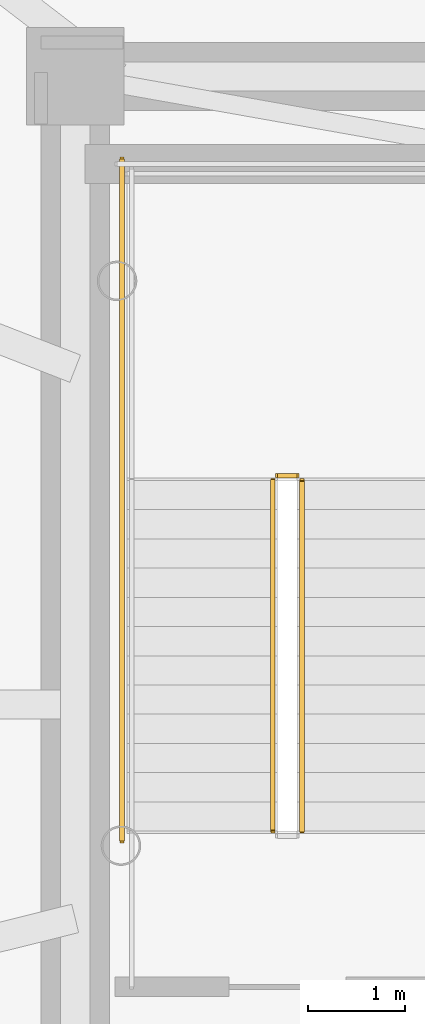
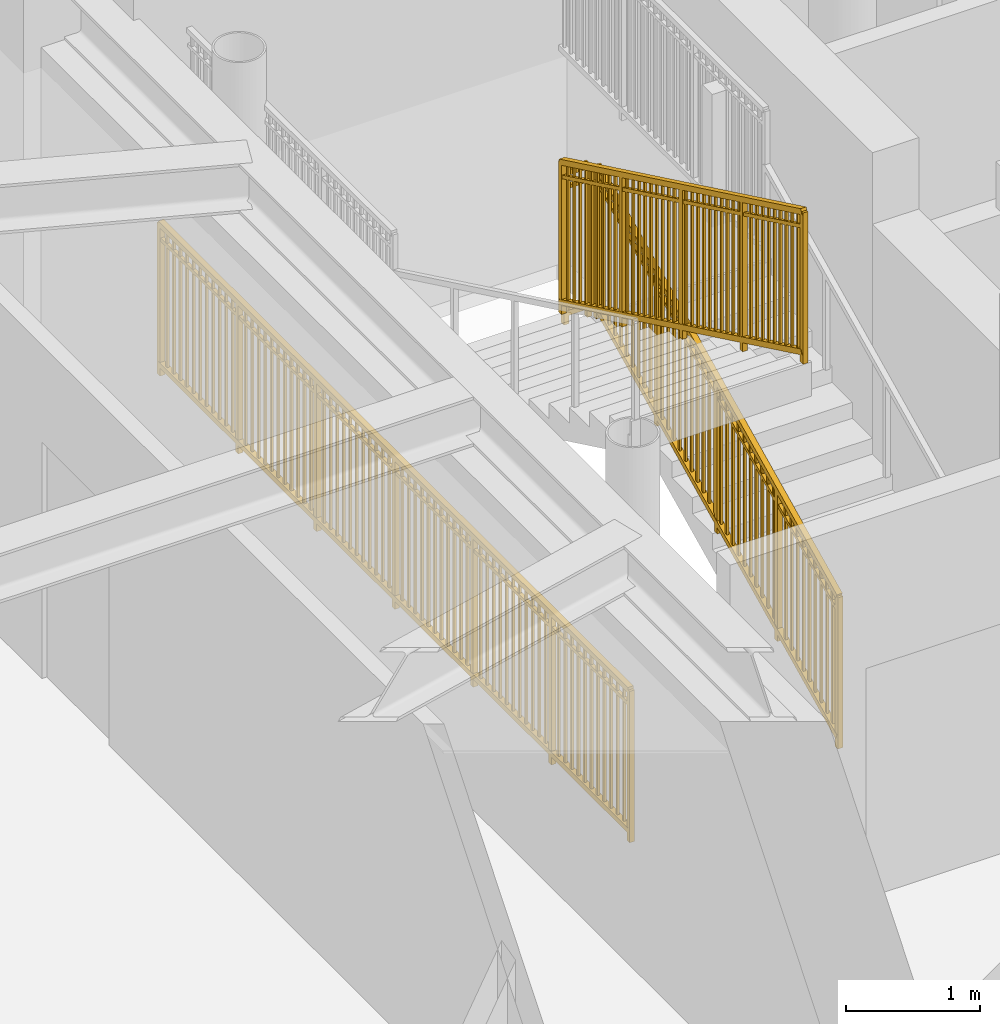
# One storey, part 13 of 17: 4 railings.
"""IFC4 building model written with IfcOpenShell, lengths in metres."""

from ifc_helpers import new_model, si_unit, direction, frame, origin, origin_2d, place, context, subcontext, project, spatial, rectangle, extrude, source, transform, mapped, material, type_object, element, save


model = new_model("IFC4")

# Units and contexts
model_context = context("Model", 3, precision=1e-05, world=origin(), true_north=direction((0.0, 1.0)))
body_context = subcontext(model_context, "Body", "Model", "MODEL_VIEW")
ifc_project = project(units=[si_unit("LENGTHUNIT", "METRE"), si_unit("AREAUNIT", "SQUARE_METRE"), si_unit("VOLUMEUNIT", "CUBIC_METRE"), si_unit("PLANEANGLEUNIT", "RADIAN"), si_unit("MASSUNIT", "GRAM", prefix="KILO")], contexts=[model_context])

# Site, building, storey
site_placement = place(None, origin())
site = spatial("IfcSite", under=ifc_project, at=site_placement, CompositionType="ELEMENT")
building_placement = place(site_placement, origin())
building = spatial("IfcBuilding", under=site, at=building_placement, Name="Linh Dai School and Residence Tower", CompositionType="ELEMENT")
storey_placement = place(building_placement, frame((0.0, 0.0, 284.25)))
storey = spatial("IfcBuildingStorey", under=building, at=storey_placement, Name="L70", CompositionType="ELEMENT", Elevation=284.25)

# Railings
ifc_material = material(Name="Structural Steel S355JR", Category="steel")
railing_type = type_object("IfcRailingType", Name="RL-ST-GUARD-1400", PredefinedType="GUARDRAIL", material=ifc_material)
shared_shape_1 = source(origin(), body_context, "Body", "SweptSolid", [
    extrude(rectangle(XDim=0.048095703125, YDim=0.048095703125, at=origin_2d()), frame((0.0, 0.0, 1.3759765625), z_axis=(-1.0, 0.0, 0.0), x_axis=(0.0, -1.0, 0.0)), (0.0, 0.0, 1.0), 0.199951171875),
    extrude(rectangle(XDim=0.048095703125, YDim=0.048095703125, at=origin_2d()), frame((0.0, 0.0, 0.10009765625), z_axis=(-1.0, 0.0, 0.0), x_axis=(0.0, -1.0, 0.0)), (0.0, 0.0, 1.0), 0.199951171875),
    extrude(rectangle(XDim=0.030029296875, YDim=0.030029296875, at=origin_2d()), frame((0.0, 0.0, 1.239990234375), z_axis=(-1.0, 0.0, 0.0), x_axis=(0.0, -1.0, 0.0)), (0.0, 0.0, 1.0), 0.199951171875),
    extrude(rectangle(XDim=0.0419921875, YDim=0.0419921875, at=origin_2d()), origin(), (0.0, 0.0, 1.0), 1.3759765625),
    extrude(rectangle(XDim=0.0419921875, YDim=0.0419921875, at=origin_2d()), frame((-0.199951171875, 0.0, 0.0)), (0.0, 0.0, 1.0), 1.3759765625),
])
railing_1_placement = place(storey_placement, frame((29.429931640625, 29.35009765625, 1.875)))
element("IfcRailing", 1, at=railing_1_placement, inside=storey, type_object=railing_type, Name="L70 ST1 stair guard 2", PredefinedType="GUARDRAIL", context=body_context, shape_type="MappedRepresentation", body=[
    mapped(shared_shape_1, transform((0.0, 0.0, 0.0), x_axis=(1.0, 0.0, 0.0), y_axis=(0.0, 1.0, 0.0), z_axis=(0.0, 0.0, 1.0), scale=1.0)),
])
shared_shape_2 = source(origin(), body_context, "Body", "SweptSolid", [
    extrude(rectangle(XDim=0.048095703125, YDim=0.048095703125, at=origin_2d()), frame((0.0, 0.0, 1.3759765625), z_axis=(0.0, 1.0, 0.0), x_axis=(-1.0, 0.0, 0.0)), (0.0, 0.0, 1.0), 7.0),
    extrude(rectangle(XDim=0.048095703125, YDim=0.048095703125, at=origin_2d()), frame((0.0, 0.0, 0.10009765625), z_axis=(0.0, 1.0, 0.0), x_axis=(-1.0, 0.0, 0.0)), (0.0, 0.0, 1.0), 7.0),
    extrude(rectangle(XDim=0.030029296875, YDim=0.030029296875, at=origin_2d()), frame((0.0, 0.0, 1.239990234375), z_axis=(0.0, 1.0, 0.0), x_axis=(-1.0, 0.0, 0.0)), (0.0, 0.0, 1.0), 7.0),
    extrude(rectangle(XDim=0.02001953125, YDim=0.02001953125, at=origin_2d()), frame((0.0, 0.09716796875, 0.10009765625)), (0.0, 0.0, 1.0), 1.251708984375),
    extrude(rectangle(XDim=0.02001953125, YDim=0.02001953125, at=origin_2d()), frame((0.0, 0.1943359375, 0.10009765625)), (0.0, 0.0, 1.0), 1.251708984375),
    extrude(rectangle(XDim=0.02001953125, YDim=0.02001953125, at=origin_2d()), frame((0.0, 0.291748046875, 0.10009765625)), (0.0, 0.0, 1.0), 1.251708984375),
    extrude(rectangle(XDim=0.02001953125, YDim=0.02001953125, at=origin_2d()), frame((0.0, 0.388916015625, 0.10009765625)), (0.0, 0.0, 1.0), 1.251708984375),
    extrude(rectangle(XDim=0.02001953125, YDim=0.02001953125, at=origin_2d()), frame((0.0, 0.486083984375, 0.10009765625)), (0.0, 0.0, 1.0), 1.251708984375),
    extrude(rectangle(XDim=0.02001953125, YDim=0.02001953125, at=origin_2d()), frame((0.0, 0.583251953125, 0.10009765625)), (0.0, 0.0, 1.0), 1.251708984375),
    extrude(rectangle(XDim=0.02001953125, YDim=0.02001953125, at=origin_2d()), frame((0.0, 0.6806640625, 0.10009765625)), (0.0, 0.0, 1.0), 1.251708984375),
    extrude(rectangle(XDim=0.02001953125, YDim=0.02001953125, at=origin_2d()), frame((0.0, 0.77783203125, 0.10009765625)), (0.0, 0.0, 1.0), 1.251708984375),
    extrude(rectangle(XDim=0.02001953125, YDim=0.02001953125, at=origin_2d()), frame((0.0, 0.875, 0.10009765625)), (0.0, 0.0, 1.0), 1.251708984375),
    extrude(rectangle(XDim=0.02001953125, YDim=0.02001953125, at=origin_2d()), frame((0.0, 0.97216796875, 0.10009765625)), (0.0, 0.0, 1.0), 1.251708984375),
    extrude(rectangle(XDim=0.02001953125, YDim=0.02001953125, at=origin_2d()), frame((0.0, 1.0693359375, 0.10009765625)), (0.0, 0.0, 1.0), 1.251708984375),
    extrude(rectangle(XDim=0.02001953125, YDim=0.02001953125, at=origin_2d()), frame((0.0, 1.263916015625, 0.10009765625)), (0.0, 0.0, 1.0), 1.251708984375),
    extrude(rectangle(XDim=0.02001953125, YDim=0.02001953125, at=origin_2d()), frame((0.0, 1.361083984375, 0.10009765625)), (0.0, 0.0, 1.0), 1.251708984375),
    extrude(rectangle(XDim=0.02001953125, YDim=0.02001953125, at=origin_2d()), frame((0.0, 1.458251953125, 0.10009765625)), (0.0, 0.0, 1.0), 1.251708984375),
    extrude(rectangle(XDim=0.02001953125, YDim=0.02001953125, at=origin_2d()), frame((0.0, 1.5556640625, 0.10009765625)), (0.0, 0.0, 1.0), 1.251708984375),
    extrude(rectangle(XDim=0.02001953125, YDim=0.02001953125, at=origin_2d()), frame((0.0, 1.65283203125, 0.10009765625)), (0.0, 0.0, 1.0), 1.251708984375),
    extrude(rectangle(XDim=0.02001953125, YDim=0.02001953125, at=origin_2d()), frame((0.0, 1.75, 0.10009765625)), (0.0, 0.0, 1.0), 1.251708984375),
    extrude(rectangle(XDim=0.02001953125, YDim=0.02001953125, at=origin_2d()), frame((0.0, 1.84716796875, 0.10009765625)), (0.0, 0.0, 1.0), 1.251708984375),
    extrude(rectangle(XDim=0.02001953125, YDim=0.02001953125, at=origin_2d()), frame((0.0, 1.9443359375, 0.10009765625)), (0.0, 0.0, 1.0), 1.251708984375),
    extrude(rectangle(XDim=0.02001953125, YDim=0.02001953125, at=origin_2d()), frame((0.0, 2.041748046875, 0.10009765625)), (0.0, 0.0, 1.0), 1.251708984375),
    extrude(rectangle(XDim=0.02001953125, YDim=0.02001953125, at=origin_2d()), frame((0.0, 2.138916015625, 0.10009765625)), (0.0, 0.0, 1.0), 1.251708984375),
    extrude(rectangle(XDim=0.02001953125, YDim=0.02001953125, at=origin_2d()), frame((0.0, 2.236083984375, 0.10009765625)), (0.0, 0.0, 1.0), 1.251708984375),
    extrude(rectangle(XDim=0.02001953125, YDim=0.02001953125, at=origin_2d()), frame((0.0, 2.4306640625, 0.10009765625)), (0.0, 0.0, 1.0), 1.251708984375),
    extrude(rectangle(XDim=0.02001953125, YDim=0.02001953125, at=origin_2d()), frame((0.0, 2.52783203125, 0.10009765625)), (0.0, 0.0, 1.0), 1.251708984375),
    extrude(rectangle(XDim=0.02001953125, YDim=0.02001953125, at=origin_2d()), frame((0.0, 2.625, 0.10009765625)), (0.0, 0.0, 1.0), 1.251708984375),
    extrude(rectangle(XDim=0.02001953125, YDim=0.02001953125, at=origin_2d()), frame((0.0, 2.72216796875, 0.10009765625)), (0.0, 0.0, 1.0), 1.251708984375),
    extrude(rectangle(XDim=0.02001953125, YDim=0.02001953125, at=origin_2d()), frame((0.0, 2.8193359375, 0.10009765625)), (0.0, 0.0, 1.0), 1.251708984375),
    extrude(rectangle(XDim=0.02001953125, YDim=0.02001953125, at=origin_2d()), frame((0.0, 2.916748046875, 0.10009765625)), (0.0, 0.0, 1.0), 1.251708984375),
    extrude(rectangle(XDim=0.02001953125, YDim=0.02001953125, at=origin_2d()), frame((0.0, 3.013916015625, 0.10009765625)), (0.0, 0.0, 1.0), 1.251708984375),
    extrude(rectangle(XDim=0.02001953125, YDim=0.02001953125, at=origin_2d()), frame((0.0, 3.111083984375, 0.10009765625)), (0.0, 0.0, 1.0), 1.251708984375),
    extrude(rectangle(XDim=0.02001953125, YDim=0.02001953125, at=origin_2d()), frame((0.0, 3.208251953125, 0.10009765625)), (0.0, 0.0, 1.0), 1.251708984375),
    extrude(rectangle(XDim=0.02001953125, YDim=0.02001953125, at=origin_2d()), frame((0.0, 3.3056640625, 0.10009765625)), (0.0, 0.0, 1.0), 1.251708984375),
    extrude(rectangle(XDim=0.02001953125, YDim=0.02001953125, at=origin_2d()), frame((0.0, 3.40283203125, 0.10009765625)), (0.0, 0.0, 1.0), 1.251708984375),
    extrude(rectangle(XDim=0.02001953125, YDim=0.02001953125, at=origin_2d()), frame((0.0, 3.59716796875, 0.10009765625)), (0.0, 0.0, 1.0), 1.251708984375),
    extrude(rectangle(XDim=0.02001953125, YDim=0.02001953125, at=origin_2d()), frame((0.0, 3.6943359375, 0.10009765625)), (0.0, 0.0, 1.0), 1.251708984375),
    extrude(rectangle(XDim=0.02001953125, YDim=0.02001953125, at=origin_2d()), frame((0.0, 3.791748046875, 0.10009765625)), (0.0, 0.0, 1.0), 1.251708984375),
    extrude(rectangle(XDim=0.02001953125, YDim=0.02001953125, at=origin_2d()), frame((0.0, 3.888916015625, 0.10009765625)), (0.0, 0.0, 1.0), 1.251708984375),
    extrude(rectangle(XDim=0.02001953125, YDim=0.02001953125, at=origin_2d()), frame((0.0, 3.986083984375, 0.10009765625)), (0.0, 0.0, 1.0), 1.251708984375),
    extrude(rectangle(XDim=0.02001953125, YDim=0.02001953125, at=origin_2d()), frame((0.0, 4.083251953125, 0.10009765625)), (0.0, 0.0, 1.0), 1.251708984375),
    extrude(rectangle(XDim=0.02001953125, YDim=0.02001953125, at=origin_2d()), frame((0.0, 4.1806640625, 0.10009765625)), (0.0, 0.0, 1.0), 1.251708984375),
    extrude(rectangle(XDim=0.02001953125, YDim=0.02001953125, at=origin_2d()), frame((0.0, 4.27783203125, 0.10009765625)), (0.0, 0.0, 1.0), 1.251708984375),
    extrude(rectangle(XDim=0.02001953125, YDim=0.02001953125, at=origin_2d()), frame((0.0, 4.375, 0.10009765625)), (0.0, 0.0, 1.0), 1.251708984375),
    extrude(rectangle(XDim=0.02001953125, YDim=0.02001953125, at=origin_2d()), frame((0.0, 4.47216796875, 0.10009765625)), (0.0, 0.0, 1.0), 1.251708984375),
    extrude(rectangle(XDim=0.02001953125, YDim=0.02001953125, at=origin_2d()), frame((0.0, 4.5693359375, 0.10009765625)), (0.0, 0.0, 1.0), 1.251708984375),
    extrude(rectangle(XDim=0.02001953125, YDim=0.02001953125, at=origin_2d()), frame((0.0, 4.763916015625, 0.10009765625)), (0.0, 0.0, 1.0), 1.251708984375),
    extrude(rectangle(XDim=0.02001953125, YDim=0.02001953125, at=origin_2d()), frame((0.0, 4.861083984375, 0.10009765625)), (0.0, 0.0, 1.0), 1.251708984375),
    extrude(rectangle(XDim=0.02001953125, YDim=0.02001953125, at=origin_2d()), frame((0.0, 4.958251953125, 0.10009765625)), (0.0, 0.0, 1.0), 1.251708984375),
    extrude(rectangle(XDim=0.02001953125, YDim=0.02001953125, at=origin_2d()), frame((0.0, 5.0556640625, 0.10009765625)), (0.0, 0.0, 1.0), 1.251708984375),
    extrude(rectangle(XDim=0.02001953125, YDim=0.02001953125, at=origin_2d()), frame((0.0, 5.15283203125, 0.10009765625)), (0.0, 0.0, 1.0), 1.251708984375),
    extrude(rectangle(XDim=0.02001953125, YDim=0.02001953125, at=origin_2d()), frame((0.0, 5.25, 0.10009765625)), (0.0, 0.0, 1.0), 1.251708984375),
    extrude(rectangle(XDim=0.02001953125, YDim=0.02001953125, at=origin_2d()), frame((0.0, 5.34716796875, 0.10009765625)), (0.0, 0.0, 1.0), 1.251708984375),
    extrude(rectangle(XDim=0.02001953125, YDim=0.02001953125, at=origin_2d()), frame((0.0, 5.4443359375, 0.10009765625)), (0.0, 0.0, 1.0), 1.251708984375),
    extrude(rectangle(XDim=0.02001953125, YDim=0.02001953125, at=origin_2d()), frame((0.0, 5.541748046875, 0.10009765625)), (0.0, 0.0, 1.0), 1.251708984375),
    extrude(rectangle(XDim=0.02001953125, YDim=0.02001953125, at=origin_2d()), frame((0.0, 5.638916015625, 0.10009765625)), (0.0, 0.0, 1.0), 1.251708984375),
    extrude(rectangle(XDim=0.02001953125, YDim=0.02001953125, at=origin_2d()), frame((0.0, 5.736083984375, 0.10009765625)), (0.0, 0.0, 1.0), 1.251708984375),
    extrude(rectangle(XDim=0.02001953125, YDim=0.02001953125, at=origin_2d()), frame((0.0, 5.9306640625, 0.10009765625)), (0.0, 0.0, 1.0), 1.251708984375),
    extrude(rectangle(XDim=0.02001953125, YDim=0.02001953125, at=origin_2d()), frame((0.0, 6.02783203125, 0.10009765625)), (0.0, 0.0, 1.0), 1.251708984375),
    extrude(rectangle(XDim=0.02001953125, YDim=0.02001953125, at=origin_2d()), frame((0.0, 6.125, 0.10009765625)), (0.0, 0.0, 1.0), 1.251708984375),
    extrude(rectangle(XDim=0.02001953125, YDim=0.02001953125, at=origin_2d()), frame((0.0, 6.22216796875, 0.10009765625)), (0.0, 0.0, 1.0), 1.251708984375),
    extrude(rectangle(XDim=0.02001953125, YDim=0.02001953125, at=origin_2d()), frame((0.0, 6.3193359375, 0.10009765625)), (0.0, 0.0, 1.0), 1.251708984375),
    extrude(rectangle(XDim=0.02001953125, YDim=0.02001953125, at=origin_2d()), frame((0.0, 6.416748046875, 0.10009765625)), (0.0, 0.0, 1.0), 1.251708984375),
    extrude(rectangle(XDim=0.02001953125, YDim=0.02001953125, at=origin_2d()), frame((0.0, 6.513916015625, 0.10009765625)), (0.0, 0.0, 1.0), 1.251708984375),
    extrude(rectangle(XDim=0.02001953125, YDim=0.02001953125, at=origin_2d()), frame((0.0, 6.611083984375, 0.10009765625)), (0.0, 0.0, 1.0), 1.251708984375),
    extrude(rectangle(XDim=0.02001953125, YDim=0.02001953125, at=origin_2d()), frame((0.0, 6.708251953125, 0.10009765625)), (0.0, 0.0, 1.0), 1.251708984375),
    extrude(rectangle(XDim=0.02001953125, YDim=0.02001953125, at=origin_2d()), frame((0.0, 6.8056640625, 0.10009765625)), (0.0, 0.0, 1.0), 1.251708984375),
    extrude(rectangle(XDim=0.02001953125, YDim=0.02001953125, at=origin_2d()), frame((0.0, 6.90283203125, 0.10009765625)), (0.0, 0.0, 1.0), 1.251708984375),
    extrude(rectangle(XDim=0.0419921875, YDim=0.0419921875, at=origin_2d()), origin(), (0.0, 0.0, 1.0), 1.3759765625),
    extrude(rectangle(XDim=0.0419921875, YDim=0.0419921875, at=origin_2d()), frame((0.0, 1.166748046875, 0.0)), (0.0, 0.0, 1.0), 1.3759765625),
    extrude(rectangle(XDim=0.0419921875, YDim=0.0419921875, at=origin_2d()), frame((0.0, 2.333251953125, 0.0)), (0.0, 0.0, 1.0), 1.3759765625),
    extrude(rectangle(XDim=0.0419921875, YDim=0.0419921875, at=origin_2d()), frame((0.0, 3.5, 0.0)), (0.0, 0.0, 1.0), 1.3759765625),
    extrude(rectangle(XDim=0.0419921875, YDim=0.0419921875, at=origin_2d()), frame((0.0, 4.666748046875, 0.0)), (0.0, 0.0, 1.0), 1.3759765625),
    extrude(rectangle(XDim=0.0419921875, YDim=0.0419921875, at=origin_2d()), frame((0.0, 5.833251953125, 0.0)), (0.0, 0.0, 1.0), 1.3759765625),
    extrude(rectangle(XDim=0.0419921875, YDim=0.0419921875, at=origin_2d()), frame((0.0, 7.0, 0.0)), (0.0, 0.0, 1.0), 1.3759765625),
])
railing_2_placement = place(storey_placement, frame((27.6298828125, 25.60009765625, 0.0)))
element("IfcRailing", 2, at=railing_2_placement, inside=storey, type_object=railing_type, Name="L70 ST1 stair guard 11", PredefinedType="GUARDRAIL", context=body_context, shape_type="MappedRepresentation", body=[
    mapped(shared_shape_2, transform((0.0, 0.0, 0.0), x_axis=(1.0, 0.0, 0.0), y_axis=(0.0, 1.0, 0.0), z_axis=(0.0, 0.0, 1.0), scale=1.0)),
])
shared_shape_3 = source(origin(), body_context, "Body", "SweptSolid", [
    extrude(rectangle(XDim=0.048095703125, YDim=0.048095703125, at=origin_2d()), frame((0.0, 0.0, 1.3759765625), z_axis=(0.0, 0.901262522062, 0.433273431364), x_axis=(-1.0, 0.0, 0.0)), (0.0, 0.0, 1.0), 3.994384765625),
    extrude(rectangle(XDim=0.048095703125, YDim=0.048095703125, at=origin_2d()), frame((0.0, 0.0, 0.10009765625), z_axis=(0.0, 0.901262522062, 0.433273431364), x_axis=(-1.0, 0.0, 0.0)), (0.0, 0.0, 1.0), 3.994384765625),
    extrude(rectangle(XDim=0.030029296875, YDim=0.030029296875, at=origin_2d()), frame((0.0, 0.0, 1.239990234375), z_axis=(0.0, 0.901262522062, 0.433273431364), x_axis=(-1.0, 0.0, 0.0)), (0.0, 0.0, 1.0), 3.994384765625),
    extrude(rectangle(XDim=0.02001953125, YDim=0.02001953125, at=origin_2d()), frame((0.0, 0.087890625, 0.142333984375)), (0.0, 0.0, 1.0), 1.251708984375),
    extrude(rectangle(XDim=0.02001953125, YDim=0.02001953125, at=origin_2d()), frame((0.0, 0.175537109375, 0.1845703125)), (0.0, 0.0, 1.0), 1.251708984375),
    extrude(rectangle(XDim=0.02001953125, YDim=0.02001953125, at=origin_2d()), frame((0.0, 0.263427734375, 0.226806640625)), (0.0, 0.0, 1.0), 1.251708984375),
    extrude(rectangle(XDim=0.02001953125, YDim=0.02001953125, at=origin_2d()), frame((0.0, 0.351318359375, 0.26904296875)), (0.0, 0.0, 1.0), 1.251708984375),
    extrude(rectangle(XDim=0.02001953125, YDim=0.02001953125, at=origin_2d()), frame((0.0, 0.43896484375, 0.311279296875)), (0.0, 0.0, 1.0), 1.251708984375),
    extrude(rectangle(XDim=0.02001953125, YDim=0.02001953125, at=origin_2d()), frame((0.0, 0.52685546875, 0.353271484375)), (0.0, 0.0, 1.0), 1.251708984375),
    extrude(rectangle(XDim=0.02001953125, YDim=0.02001953125, at=origin_2d()), frame((0.0, 0.61474609375, 0.3955078125)), (0.0, 0.0, 1.0), 1.251708984375),
    extrude(rectangle(XDim=0.02001953125, YDim=0.02001953125, at=origin_2d()), frame((0.0, 0.702392578125, 0.437744140625)), (0.0, 0.0, 1.0), 1.251708984375),
    extrude(rectangle(XDim=0.02001953125, YDim=0.02001953125, at=origin_2d()), frame((0.0, 0.790283203125, 0.47998046875)), (0.0, 0.0, 1.0), 1.251708984375),
    extrude(rectangle(XDim=0.02001953125, YDim=0.02001953125, at=origin_2d()), frame((0.0, 0.9658203125, 0.564453125)), (0.0, 0.0, 1.0), 1.251708984375),
    extrude(rectangle(XDim=0.02001953125, YDim=0.02001953125, at=origin_2d()), frame((0.0, 1.0537109375, 0.606689453125)), (0.0, 0.0, 1.0), 1.251708984375),
    extrude(rectangle(XDim=0.02001953125, YDim=0.02001953125, at=origin_2d()), frame((0.0, 1.1416015625, 0.64892578125)), (0.0, 0.0, 1.0), 1.251708984375),
    extrude(rectangle(XDim=0.02001953125, YDim=0.02001953125, at=origin_2d()), frame((0.0, 1.229248046875, 0.691162109375)), (0.0, 0.0, 1.0), 1.251708984375),
    extrude(rectangle(XDim=0.02001953125, YDim=0.02001953125, at=origin_2d()), frame((0.0, 1.317138671875, 0.7333984375)), (0.0, 0.0, 1.0), 1.251708984375),
    extrude(rectangle(XDim=0.02001953125, YDim=0.02001953125, at=origin_2d()), frame((0.0, 1.405029296875, 0.775390625)), (0.0, 0.0, 1.0), 1.251708984375),
    extrude(rectangle(XDim=0.02001953125, YDim=0.02001953125, at=origin_2d()), frame((0.0, 1.49267578125, 0.817626953125)), (0.0, 0.0, 1.0), 1.251708984375),
    extrude(rectangle(XDim=0.02001953125, YDim=0.02001953125, at=origin_2d()), frame((0.0, 1.58056640625, 0.85986328125)), (0.0, 0.0, 1.0), 1.251708984375),
    extrude(rectangle(XDim=0.02001953125, YDim=0.02001953125, at=origin_2d()), frame((0.0, 1.66845703125, 0.902099609375)), (0.0, 0.0, 1.0), 1.251708984375),
    extrude(rectangle(XDim=0.02001953125, YDim=0.02001953125, at=origin_2d()), frame((0.0, 1.756103515625, 0.9443359375)), (0.0, 0.0, 1.0), 1.251708984375),
    extrude(rectangle(XDim=0.02001953125, YDim=0.02001953125, at=origin_2d()), frame((0.0, 1.843994140625, 0.986572265625)), (0.0, 0.0, 1.0), 1.251708984375),
    extrude(rectangle(XDim=0.02001953125, YDim=0.02001953125, at=origin_2d()), frame((0.0, 1.931640625, 1.02880859375)), (0.0, 0.0, 1.0), 1.251708984375),
    extrude(rectangle(XDim=0.02001953125, YDim=0.02001953125, at=origin_2d()), frame((0.0, 2.01953125, 1.071044921875)), (0.0, 0.0, 1.0), 1.251708984375),
    extrude(rectangle(XDim=0.02001953125, YDim=0.02001953125, at=origin_2d()), frame((0.0, 2.107421875, 1.11328125)), (0.0, 0.0, 1.0), 1.251708984375),
    extrude(rectangle(XDim=0.02001953125, YDim=0.02001953125, at=origin_2d()), frame((0.0, 2.195068359375, 1.155517578125)), (0.0, 0.0, 1.0), 1.251708984375),
    extrude(rectangle(XDim=0.02001953125, YDim=0.02001953125, at=origin_2d()), frame((0.0, 2.282958984375, 1.197509765625)), (0.0, 0.0, 1.0), 1.251708984375),
    extrude(rectangle(XDim=0.02001953125, YDim=0.02001953125, at=origin_2d()), frame((0.0, 2.370849609375, 1.23974609375)), (0.0, 0.0, 1.0), 1.251708984375),
    extrude(rectangle(XDim=0.02001953125, YDim=0.02001953125, at=origin_2d()), frame((0.0, 2.45849609375, 1.281982421875)), (0.0, 0.0, 1.0), 1.251708984375),
    extrude(rectangle(XDim=0.02001953125, YDim=0.02001953125, at=origin_2d()), frame((0.0, 2.54638671875, 1.32421875)), (0.0, 0.0, 1.0), 1.251708984375),
    extrude(rectangle(XDim=0.02001953125, YDim=0.02001953125, at=origin_2d()), frame((0.0, 2.63427734375, 1.366455078125)), (0.0, 0.0, 1.0), 1.251708984375),
    extrude(rectangle(XDim=0.02001953125, YDim=0.02001953125, at=origin_2d()), frame((0.0, 2.809814453125, 1.450927734375)), (0.0, 0.0, 1.0), 1.251708984375),
    extrude(rectangle(XDim=0.02001953125, YDim=0.02001953125, at=origin_2d()), frame((0.0, 2.897705078125, 1.4931640625)), (0.0, 0.0, 1.0), 1.251708984375),
    extrude(rectangle(XDim=0.02001953125, YDim=0.02001953125, at=origin_2d()), frame((0.0, 2.9853515625, 1.535400390625)), (0.0, 0.0, 1.0), 1.251708984375),
    extrude(rectangle(XDim=0.02001953125, YDim=0.02001953125, at=origin_2d()), frame((0.0, 3.0732421875, 1.57763671875)), (0.0, 0.0, 1.0), 1.251708984375),
    extrude(rectangle(XDim=0.02001953125, YDim=0.02001953125, at=origin_2d()), frame((0.0, 3.1611328125, 1.61962890625)), (0.0, 0.0, 1.0), 1.251708984375),
    extrude(rectangle(XDim=0.02001953125, YDim=0.02001953125, at=origin_2d()), frame((0.0, 3.248779296875, 1.661865234375)), (0.0, 0.0, 1.0), 1.251708984375),
    extrude(rectangle(XDim=0.02001953125, YDim=0.02001953125, at=origin_2d()), frame((0.0, 3.336669921875, 1.7041015625)), (0.0, 0.0, 1.0), 1.251708984375),
    extrude(rectangle(XDim=0.02001953125, YDim=0.02001953125, at=origin_2d()), frame((0.0, 3.424560546875, 1.746337890625)), (0.0, 0.0, 1.0), 1.251708984375),
    extrude(rectangle(XDim=0.02001953125, YDim=0.02001953125, at=origin_2d()), frame((0.0, 3.51220703125, 1.78857421875)), (0.0, 0.0, 1.0), 1.251708984375),
    extrude(rectangle(XDim=0.0419921875, YDim=0.0419921875, at=origin_2d()), origin(), (0.0, 0.0, 1.0), 1.3759765625),
    extrude(rectangle(XDim=0.0419921875, YDim=0.0419921875, at=origin_2d()), frame((0.0, 0.89990234375, 0.4326171875)), (0.0, 0.0, 1.0), 1.3759765625),
    extrude(rectangle(XDim=0.0419921875, YDim=0.0419921875, at=origin_2d()), frame((0.0, 1.800048828125, 0.865234375)), (0.0, 0.0, 1.0), 1.3759765625),
    extrude(rectangle(XDim=0.0419921875, YDim=0.0419921875, at=origin_2d()), frame((0.0, 2.7001953125, 1.298095703125)), (0.0, 0.0, 1.0), 1.3759765625),
    extrude(rectangle(XDim=0.0419921875, YDim=0.0419921875, at=origin_2d()), frame((0.0, 3.60009765625, 1.730712890625)), (0.0, 0.0, 1.0), 1.3759765625),
])
railing_3_placement = place(storey_placement, frame((29.47998046875, 25.699951171875, 0.144287109375)))
element("IfcRailing", 3, at=railing_3_placement, inside=storey, type_object=railing_type, Name="L70 ST1 stair guard 1", PredefinedType="GUARDRAIL", context=body_context, shape_type="MappedRepresentation", body=[
    mapped(shared_shape_3, transform((0.0, 0.0, 0.0), x_axis=(1.0, 0.0, 0.0), y_axis=(0.0, 1.0, 0.0), z_axis=(0.0, 0.0, 1.0), scale=1.0)),
])
shared_shape_4 = source(origin(), body_context, "Body", "SweptSolid", [
    extrude(rectangle(XDim=0.048095703125, YDim=0.048095703125, at=origin_2d()), frame((0.0, 0.0, 1.3759765625), z_axis=(0.0, -0.901262522062, 0.433273431364), x_axis=(1.0, 0.0, 0.0)), (0.0, 0.0, 1.0), 3.994384765625),
    extrude(rectangle(XDim=0.048095703125, YDim=0.048095703125, at=origin_2d()), frame((0.0, 0.0, 0.10009765625), z_axis=(0.0, -0.901262522062, 0.433273431364), x_axis=(1.0, 0.0, 0.0)), (0.0, 0.0, 1.0), 3.994384765625),
    extrude(rectangle(XDim=0.030029296875, YDim=0.030029296875, at=origin_2d()), frame((0.0, 0.0, 1.239990234375), z_axis=(0.0, -0.901262522062, 0.433273431364), x_axis=(1.0, 0.0, 0.0)), (0.0, 0.0, 1.0), 3.994384765625),
    extrude(rectangle(XDim=0.02001953125, YDim=0.02001953125, at=origin_2d()), frame((0.0, -0.087890625, 0.142333984375)), (0.0, 0.0, 1.0), 1.251708984375),
    extrude(rectangle(XDim=0.02001953125, YDim=0.02001953125, at=origin_2d()), frame((0.0, -0.175537109375, 0.1845703125)), (0.0, 0.0, 1.0), 1.251708984375),
    extrude(rectangle(XDim=0.02001953125, YDim=0.02001953125, at=origin_2d()), frame((0.0, -0.263427734375, 0.226806640625)), (0.0, 0.0, 1.0), 1.251708984375),
    extrude(rectangle(XDim=0.02001953125, YDim=0.02001953125, at=origin_2d()), frame((0.0, -0.351318359375, 0.26904296875)), (0.0, 0.0, 1.0), 1.251708984375),
    extrude(rectangle(XDim=0.02001953125, YDim=0.02001953125, at=origin_2d()), frame((0.0, -0.43896484375, 0.311279296875)), (0.0, 0.0, 1.0), 1.251708984375),
    extrude(rectangle(XDim=0.02001953125, YDim=0.02001953125, at=origin_2d()), frame((0.0, -0.52685546875, 0.353271484375)), (0.0, 0.0, 1.0), 1.251708984375),
    extrude(rectangle(XDim=0.02001953125, YDim=0.02001953125, at=origin_2d()), frame((0.0, -0.61474609375, 0.3955078125)), (0.0, 0.0, 1.0), 1.251708984375),
    extrude(rectangle(XDim=0.02001953125, YDim=0.02001953125, at=origin_2d()), frame((0.0, -0.702392578125, 0.437744140625)), (0.0, 0.0, 1.0), 1.251708984375),
    extrude(rectangle(XDim=0.02001953125, YDim=0.02001953125, at=origin_2d()), frame((0.0, -0.790283203125, 0.47998046875)), (0.0, 0.0, 1.0), 1.251708984375),
    extrude(rectangle(XDim=0.02001953125, YDim=0.02001953125, at=origin_2d()), frame((0.0, -0.9658203125, 0.564453125)), (0.0, 0.0, 1.0), 1.251708984375),
    extrude(rectangle(XDim=0.02001953125, YDim=0.02001953125, at=origin_2d()), frame((0.0, -1.0537109375, 0.606689453125)), (0.0, 0.0, 1.0), 1.251708984375),
    extrude(rectangle(XDim=0.02001953125, YDim=0.02001953125, at=origin_2d()), frame((0.0, -1.1416015625, 0.64892578125)), (0.0, 0.0, 1.0), 1.251708984375),
    extrude(rectangle(XDim=0.02001953125, YDim=0.02001953125, at=origin_2d()), frame((0.0, -1.229248046875, 0.691162109375)), (0.0, 0.0, 1.0), 1.251708984375),
    extrude(rectangle(XDim=0.02001953125, YDim=0.02001953125, at=origin_2d()), frame((0.0, -1.317138671875, 0.7333984375)), (0.0, 0.0, 1.0), 1.251708984375),
    extrude(rectangle(XDim=0.02001953125, YDim=0.02001953125, at=origin_2d()), frame((0.0, -1.405029296875, 0.775390625)), (0.0, 0.0, 1.0), 1.251708984375),
    extrude(rectangle(XDim=0.02001953125, YDim=0.02001953125, at=origin_2d()), frame((0.0, -1.49267578125, 0.817626953125)), (0.0, 0.0, 1.0), 1.251708984375),
    extrude(rectangle(XDim=0.02001953125, YDim=0.02001953125, at=origin_2d()), frame((0.0, -1.58056640625, 0.85986328125)), (0.0, 0.0, 1.0), 1.251708984375),
    extrude(rectangle(XDim=0.02001953125, YDim=0.02001953125, at=origin_2d()), frame((0.0, -1.66845703125, 0.902099609375)), (0.0, 0.0, 1.0), 1.251708984375),
    extrude(rectangle(XDim=0.02001953125, YDim=0.02001953125, at=origin_2d()), frame((0.0, -1.756103515625, 0.9443359375)), (0.0, 0.0, 1.0), 1.251708984375),
    extrude(rectangle(XDim=0.02001953125, YDim=0.02001953125, at=origin_2d()), frame((0.0, -1.843994140625, 0.986572265625)), (0.0, 0.0, 1.0), 1.251708984375),
    extrude(rectangle(XDim=0.02001953125, YDim=0.02001953125, at=origin_2d()), frame((0.0, -1.931640625, 1.02880859375)), (0.0, 0.0, 1.0), 1.251708984375),
    extrude(rectangle(XDim=0.02001953125, YDim=0.02001953125, at=origin_2d()), frame((0.0, -2.01953125, 1.071044921875)), (0.0, 0.0, 1.0), 1.251708984375),
    extrude(rectangle(XDim=0.02001953125, YDim=0.02001953125, at=origin_2d()), frame((0.0, -2.107421875, 1.11328125)), (0.0, 0.0, 1.0), 1.251708984375),
    extrude(rectangle(XDim=0.02001953125, YDim=0.02001953125, at=origin_2d()), frame((0.0, -2.195068359375, 1.155517578125)), (0.0, 0.0, 1.0), 1.251708984375),
    extrude(rectangle(XDim=0.02001953125, YDim=0.02001953125, at=origin_2d()), frame((0.0, -2.282958984375, 1.197509765625)), (0.0, 0.0, 1.0), 1.251708984375),
    extrude(rectangle(XDim=0.02001953125, YDim=0.02001953125, at=origin_2d()), frame((0.0, -2.370849609375, 1.23974609375)), (0.0, 0.0, 1.0), 1.251708984375),
    extrude(rectangle(XDim=0.02001953125, YDim=0.02001953125, at=origin_2d()), frame((0.0, -2.45849609375, 1.281982421875)), (0.0, 0.0, 1.0), 1.251708984375),
    extrude(rectangle(XDim=0.02001953125, YDim=0.02001953125, at=origin_2d()), frame((0.0, -2.54638671875, 1.32421875)), (0.0, 0.0, 1.0), 1.251708984375),
    extrude(rectangle(XDim=0.02001953125, YDim=0.02001953125, at=origin_2d()), frame((0.0, -2.63427734375, 1.366455078125)), (0.0, 0.0, 1.0), 1.251708984375),
    extrude(rectangle(XDim=0.02001953125, YDim=0.02001953125, at=origin_2d()), frame((0.0, -2.809814453125, 1.450927734375)), (0.0, 0.0, 1.0), 1.251708984375),
    extrude(rectangle(XDim=0.02001953125, YDim=0.02001953125, at=origin_2d()), frame((0.0, -2.897705078125, 1.4931640625)), (0.0, 0.0, 1.0), 1.251708984375),
    extrude(rectangle(XDim=0.02001953125, YDim=0.02001953125, at=origin_2d()), frame((0.0, -2.9853515625, 1.535400390625)), (0.0, 0.0, 1.0), 1.251708984375),
    extrude(rectangle(XDim=0.02001953125, YDim=0.02001953125, at=origin_2d()), frame((0.0, -3.0732421875, 1.57763671875)), (0.0, 0.0, 1.0), 1.251708984375),
    extrude(rectangle(XDim=0.02001953125, YDim=0.02001953125, at=origin_2d()), frame((0.0, -3.1611328125, 1.61962890625)), (0.0, 0.0, 1.0), 1.251708984375),
    extrude(rectangle(XDim=0.02001953125, YDim=0.02001953125, at=origin_2d()), frame((0.0, -3.248779296875, 1.661865234375)), (0.0, 0.0, 1.0), 1.251708984375),
    extrude(rectangle(XDim=0.02001953125, YDim=0.02001953125, at=origin_2d()), frame((0.0, -3.336669921875, 1.7041015625)), (0.0, 0.0, 1.0), 1.251708984375),
    extrude(rectangle(XDim=0.02001953125, YDim=0.02001953125, at=origin_2d()), frame((0.0, -3.424560546875, 1.746337890625)), (0.0, 0.0, 1.0), 1.251708984375),
    extrude(rectangle(XDim=0.02001953125, YDim=0.02001953125, at=origin_2d()), frame((0.0, -3.51220703125, 1.78857421875)), (0.0, 0.0, 1.0), 1.251708984375),
    extrude(rectangle(XDim=0.0419921875, YDim=0.0419921875, at=origin_2d()), origin(), (0.0, 0.0, 1.0), 1.3759765625),
    extrude(rectangle(XDim=0.0419921875, YDim=0.0419921875, at=origin_2d()), frame((0.0, -0.89990234375, 0.4326171875)), (0.0, 0.0, 1.0), 1.3759765625),
    extrude(rectangle(XDim=0.0419921875, YDim=0.0419921875, at=origin_2d()), frame((0.0, -1.800048828125, 0.865234375)), (0.0, 0.0, 1.0), 1.3759765625),
    extrude(rectangle(XDim=0.0419921875, YDim=0.0419921875, at=origin_2d()), frame((0.0, -2.7001953125, 1.298095703125)), (0.0, 0.0, 1.0), 1.3759765625),
    extrude(rectangle(XDim=0.0419921875, YDim=0.0419921875, at=origin_2d()), frame((0.0, -3.60009765625, 1.730712890625)), (0.0, 0.0, 1.0), 1.3759765625),
])
railing_4_placement = place(storey_placement, frame((29.179931640625, 29.300048828125, 2.019287109375)))
element("IfcRailing", 4, at=railing_4_placement, inside=storey, type_object=railing_type, Name="L70 ST1 stair guard 6", PredefinedType="GUARDRAIL", context=body_context, shape_type="MappedRepresentation", body=[
    mapped(shared_shape_4, transform((0.0, 0.0, 0.0), x_axis=(1.0, 0.0, 0.0), y_axis=(0.0, 1.0, 0.0), z_axis=(0.0, 0.0, 1.0), scale=1.0)),
])

save(model, "model.ifc")
